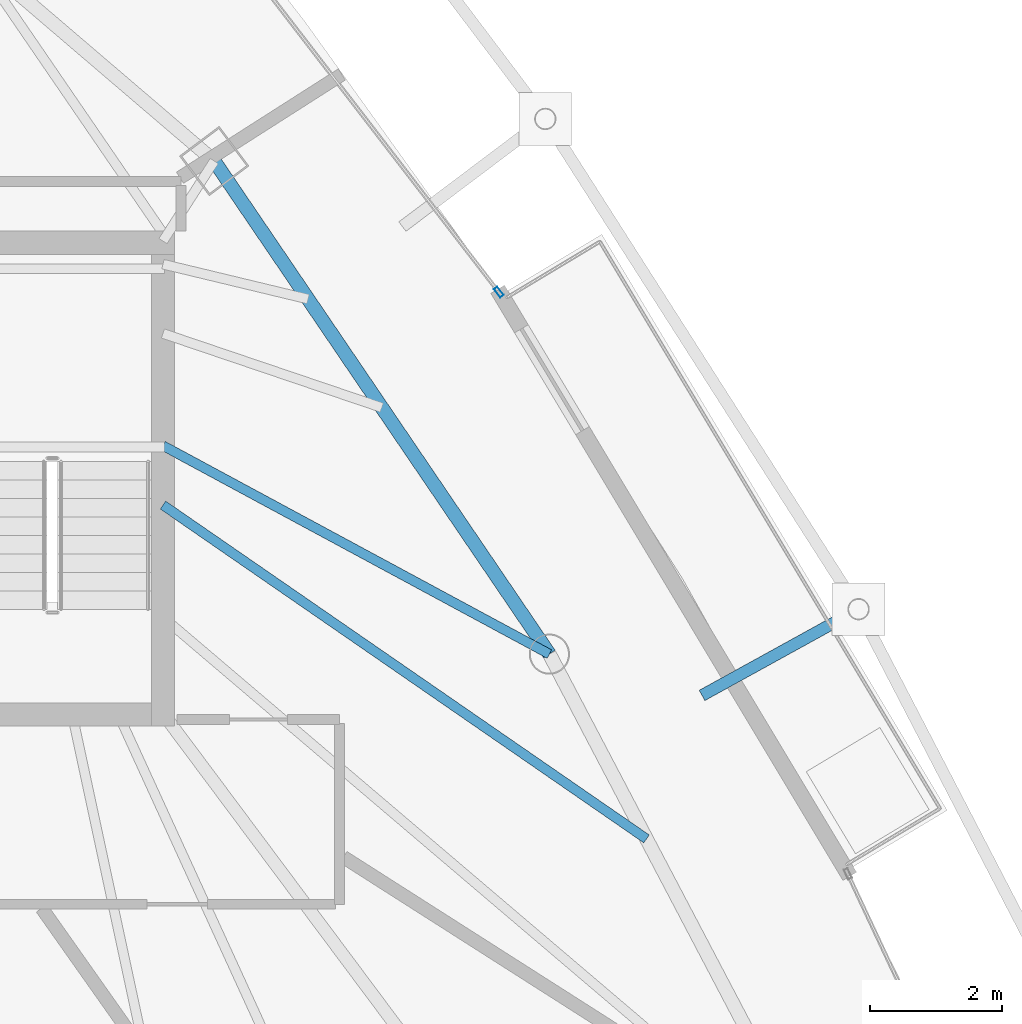
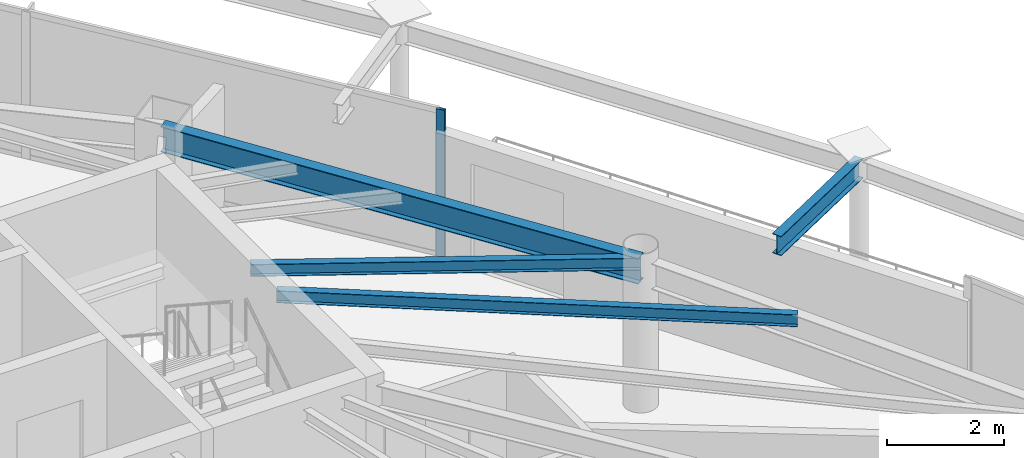
# One storey, part 21 of 33: 4 beams, 1 member, 1 element without a shape of its own.
"""IFC4 building model written with IfcOpenShell, lengths in metres."""

from ifc_helpers import new_model, si_unit, direction, frame, origin, origin_2d, place, context, subcontext, project, spatial, hollow_rectangle, i_section, extrude, material, layer, layer_set, material_profile, profile_set, type_object, element, aggregate, save


model = new_model("IFC4")

# Units and contexts
model_context = context("Model", 3, precision=1e-05, world=origin(), true_north=direction((0.0, 1.0)))
body_context = subcontext(model_context, "Body", "Model", "MODEL_VIEW")
ifc_project = project(units=[si_unit("LENGTHUNIT", "METRE"), si_unit("AREAUNIT", "SQUARE_METRE"), si_unit("VOLUMEUNIT", "CUBIC_METRE"), si_unit("PLANEANGLEUNIT", "RADIAN"), si_unit("MASSUNIT", "GRAM", prefix="KILO")], contexts=[model_context])

# Site, building, storey
site_placement = place(None, origin())
site = spatial("IfcSite", under=ifc_project, at=site_placement, CompositionType="ELEMENT")
building_placement = place(site_placement, origin())
building = spatial("IfcBuilding", under=site, at=building_placement, Name="Orvanel Arch Residences", CompositionType="ELEMENT")
storey_placement = place(building_placement, frame((0.0, 0.0, 212.89990234375)))
storey = spatial("IfcBuildingStorey", under=building, at=storey_placement, Name="L60", CompositionType="ELEMENT", Elevation=212.89990234375)

# Beams
ifc_material_1 = material(Name="Structural steel AS/NZS 3679.1 Grade 300 (300 MPa)", Category="steel")
ifc_material_profile_1 = material_profile(ifc_material_1, i_section(OverallWidth=0.14599609375, OverallDepth=0.251953125, WebThickness=0.006103515625, FlangeThickness=0.008544921875, at=origin_2d()), Name="250UB31.4")
ifc_profile_set_1 = profile_set([ifc_material_profile_1], Name="Structural steel AS/NZS 3679.1 Grade 300 (300 MPa)")
beam_type_1 = type_object("IfcBeamType", Name="BJ-250UB", PredefinedType="JOIST", material=ifc_profile_set_1)
beam_1_placement = place(storey_placement, frame((39.574951171875, 30.800048828125, 2.93408203125), z_axis=(0.880111494021, -0.474767056664, 0.0), x_axis=(0.474767056664, 0.880111494021, 0.0)))
element("IfcBeam", 1, at=beam_1_placement, inside=storey, type_object=beam_type_1, Name="L60 NE Wing Floor Joist", PredefinedType="JOIST", context=body_context, shape_type="SweptSolid", body=[
    extrude(i_section(OverallWidth=0.14599609375, OverallDepth=0.251953125, WebThickness=0.006103515625, FlangeThickness=0.008544921875, at=origin_2d()), origin(), (0.0, 0.0, 1.0), 6.653564453125),
])
beam_2_placement = place(storey_placement, frame((39.574951171875, 29.89990234375, 2.93408203125), z_axis=(0.822917046387, -0.568161539323, 0.0), x_axis=(0.568161539323, 0.822917046387, 0.0)))
element("IfcBeam", 2, at=beam_2_placement, inside=storey, type_object=beam_type_1, Name="L60 CTE Wing Floor Joist", PredefinedType="JOIST", context=body_context, shape_type="SweptSolid", body=[
    extrude(i_section(OverallWidth=0.14599609375, OverallDepth=0.251953125, WebThickness=0.006103515625, FlangeThickness=0.008544921875, at=origin_2d()), origin(), (0.0, 0.0, 1.0), 8.90380859375),
])

# Curtain wall, member
ifc_material_2 = material(Name="Bronze-anodised aluminium AA6063-T6", Category="aluminium")
ifc_layer = layer(ifc_material_2, 0.175048828125)
ifc_layer_set = layer_set([ifc_layer], Name="Bronze-anodised aluminium AA6063-T6")
curtain_wall_type = type_object("IfcCurtainWallType", Name="CW4-HI-SYS", PredefinedType="NOTDEFINED", material=ifc_layer_set)
curtain_wall_placement = place(storey_placement, origin())
curtain_wall = element("IfcCurtainWall", 3, at=curtain_wall_placement, inside=storey, type_object=curtain_wall_type, Name="L60 CW4-HI-SYS Unitised Curtain Wall", PredefinedType="NOTDEFINED")
ifc_material_profile_2 = material_profile(ifc_material_2, hollow_rectangle(XDim=0.06494140625, YDim=0.159912109375, WallThickness=0.00390625, at=origin_2d()), Name="ALU160x65x4")
ifc_profile_set_2 = profile_set([ifc_material_profile_2], Name="Bronze-anodised aluminium AA6063-T6")
member_type = type_object("IfcMemberType", Name="MUL-160x65", PredefinedType="MULLION", material=ifc_profile_set_2)
member_placement = place(storey_placement, frame((44.665283203125, 33.126708984375, 0.0), z_axis=(0.0, 0.0, 1.0), x_axis=(-0.792150817266, -0.61032539084, 0.0)))
member = element("IfcMember", 4, at=member_placement, type_object=member_type, Name="CW-S4 mullion 1", PredefinedType="MULLION", context=body_context, shape_type="SweptSolid", body=[
    extrude(hollow_rectangle(XDim=0.06494140625, YDim=0.159912109375, WallThickness=0.00390625, at=origin_2d()), origin(), (0.0, 0.0, 1.0), 3.06005859375),
])
aggregate(curtain_wall, [member])

# Beams
ifc_material_profile_3 = material_profile(ifc_material_1, i_section(OverallWidth=0.177978515625, OverallDepth=0.406005859375, WebThickness=0.0078125, FlangeThickness=0.0126953125, at=origin_2d()), Name="410UB59.7")
ifc_profile_set_3 = profile_set([ifc_material_profile_3], Name="Structural steel AS/NZS 3679.1 Grade 300 (300 MPa)")
beam_type_2 = type_object("IfcBeamType", Name="OB-410UB-EXT", PredefinedType="SPANDREL", material=ifc_profile_set_3)
beam_3_placement = place(storey_placement, frame((47.743896484375, 27.014892578125, 2.857177734375), z_axis=(0.875743343791, 0.482776962794, 0.0), x_axis=(-0.482776962794, 0.875743343791, 0.0)))
element("IfcBeam", 5, at=beam_3_placement, inside=storey, type_object=beam_type_2, Name="L60 Outer Frame Radial Tie Beam 10", PredefinedType="SPANDREL", context=body_context, shape_type="SweptSolid", body=[
    extrude(i_section(OverallWidth=0.177978515625, OverallDepth=0.406005859375, WebThickness=0.0078125, FlangeThickness=0.0126953125, at=origin_2d()), origin(), (0.0, 0.0, 1.0), 2.70751953125),
])
ifc_material_profile_4 = material_profile(ifc_material_1, i_section(OverallWidth=0.208984375, OverallDepth=0.532958984375, WebThickness=0.01025390625, FlangeThickness=0.015625, at=origin_2d()), Name="530UB92.4")
ifc_profile_set_4 = profile_set([ifc_material_profile_4], Name="Structural steel AS/NZS 3679.1 Grade 300 (300 MPa)")
beam_type_3 = type_object("IfcBeamType", Name="SP-530UB", PredefinedType="SPANDREL", material=ifc_profile_set_4)
beam_4_placement = place(storey_placement, frame((45.430908203125, 27.64111328125, 2.794189453125), z_axis=(-0.562154793153, 0.827032035978, 0.0), x_axis=(-0.827032035978, -0.562154793153, 0.0)))
element("IfcBeam", 6, at=beam_4_placement, inside=storey, type_object=beam_type_3, Name="L60 Perimeter Spandrel Beam 08", PredefinedType="SPANDREL", context=body_context, shape_type="SweptSolid", body=[
    extrude(i_section(OverallWidth=0.208984375, OverallDepth=0.532958984375, WebThickness=0.01025390625, FlangeThickness=0.015625, at=origin_2d()), origin(), (0.0, 0.0, 1.0), 9.03466796875),
])

save(model, "model.ifc")
